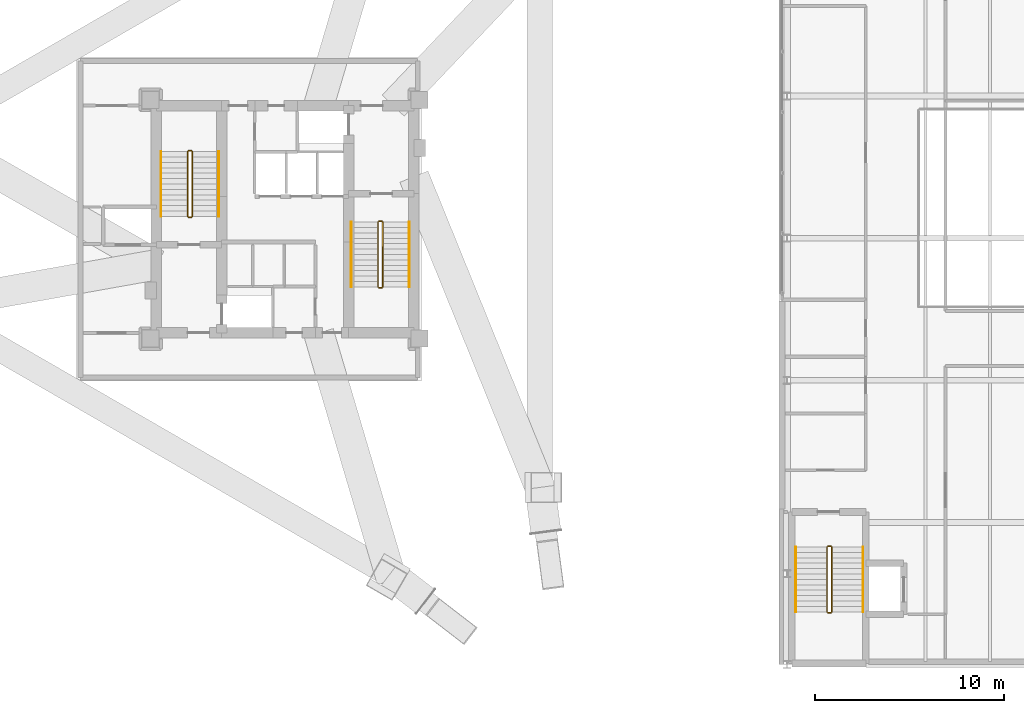
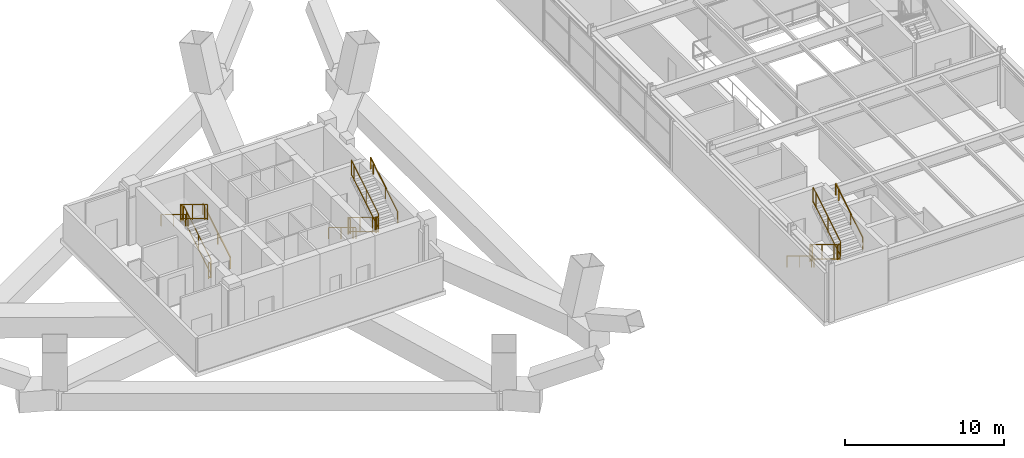
# One storey, part 15 of 16: 18 railings.
"""IFC4 building model written with IfcOpenShell, lengths in metres."""

from ifc_helpers import new_model, si_unit, direction, frame, origin, origin_2d, place, context, subcontext, project, spatial, rectangle, extrude, material, type_object, element, save


model = new_model("IFC4")

# Units and contexts
model_context = context("Model", 3, precision=1e-05, world=origin(), true_north=direction((0.0, 1.0)))
body_context = subcontext(model_context, "Body", "Model", "MODEL_VIEW")
ifc_project = project(units=[si_unit("LENGTHUNIT", "METRE"), si_unit("AREAUNIT", "SQUARE_METRE"), si_unit("VOLUMEUNIT", "CUBIC_METRE"), si_unit("PLANEANGLEUNIT", "RADIAN"), si_unit("MASSUNIT", "GRAM", prefix="KILO")], contexts=[model_context])

# Site, building, storey
site_placement = place(None, origin())
site = spatial("IfcSite", under=ifc_project, at=site_placement, CompositionType="ELEMENT")
building_placement = place(site_placement, origin())
building = spatial("IfcBuilding", under=site, at=building_placement, Name="Mersakhor Tower and Convention Hall", CompositionType="ELEMENT")
storey_placement = place(building_placement, frame((0.0, 0.0, 5.10009765625)))
storey = spatial("IfcBuildingStorey", under=building, at=storey_placement, Name="L01", CompositionType="ELEMENT", Elevation=5.10009765625)

# Railings
ifc_material_1 = material(Name="Brushed stainless steel handrail", Category="steel")
railing_type_1 = type_object("IfcRailingType", Name="RL-HR-900", PredefinedType="HANDRAIL", material=ifc_material_1)
railing_1_placement = place(storey_placement, frame((25.5, 26.89990234375, 0.173095703125)))
element("IfcRailing", 1, at=railing_1_placement, inside=storey, type_object=railing_type_1, Name="L01 ST-1 stair handrail 1", PredefinedType="HANDRAIL", context=body_context, shape_type="SweptSolid", body=[
    extrude(rectangle(XDim=0.048095703125, YDim=0.048095703125, at=origin_2d()), frame((0.0, 0.0, 0.8759765625), z_axis=(0.0, 0.854745945586, 0.519046595696), x_axis=(-1.0, 0.0, 0.0)), (0.0, 0.0, 1.0), 4.00146484375),
    extrude(rectangle(XDim=0.0419921875, YDim=0.0419921875, at=origin_2d()), origin(), (0.0, 0.0, 1.0), 0.851806640625),
    extrude(rectangle(XDim=0.0419921875, YDim=0.0419921875, at=origin_2d()), frame((0.0, 1.53857421875, 0.934326171875)), (0.0, 0.0, 1.0), 0.851806640625),
    extrude(rectangle(XDim=0.0419921875, YDim=0.0419921875, at=origin_2d()), frame((0.0, 3.0771484375, 1.86865234375)), (0.0, 0.0, 1.0), 0.851806640625),
    extrude(rectangle(XDim=0.0419921875, YDim=0.0419921875, at=origin_2d()), frame((0.0, 3.420166015625, 2.076904296875)), (0.0, 0.0, 1.0), 0.851806640625),
])
for number, where, name in (
    (2, (22.449951171875, 30.320068359375, 2.423095703125), "L01 ST-1 stair handrail 2"),
    (3, (32.5, 26.60009765625, 0.173095703125), "L01 ST-2 stair handrail 1"),
):
    element("IfcRailing", number, at=place(storey_placement, frame(where)), inside=storey, type_object=railing_type_1, Name=name, PredefinedType="HANDRAIL", context=body_context, shape_type="SweptSolid", body=[
        extrude(rectangle(XDim=0.048095703125, YDim=0.048095703125, at=origin_2d()), frame((0.0, 0.0, 0.8759765625), z_axis=(0.0, -0.854745945586, 0.519046595696), x_axis=(1.0, 0.0, 0.0)), (0.0, 0.0, 1.0), 4.00146484375),
        extrude(rectangle(XDim=0.0419921875, YDim=0.0419921875, at=origin_2d()), origin(), (0.0, 0.0, 1.0), 0.851806640625),
        extrude(rectangle(XDim=0.0419921875, YDim=0.0419921875, at=origin_2d()), frame((0.0, -1.53857421875, 0.934326171875)), (0.0, 0.0, 1.0), 0.851806640625),
        extrude(rectangle(XDim=0.0419921875, YDim=0.0419921875, at=origin_2d()), frame((0.0, -3.0771484375, 1.86865234375)), (0.0, 0.0, 1.0), 0.851806640625),
        extrude(rectangle(XDim=0.0419921875, YDim=0.0419921875, at=origin_2d()), frame((0.0, -3.420166015625, 2.076904296875)), (0.0, 0.0, 1.0), 0.851806640625),
    ])
railing_2_placement = place(storey_placement, frame((35.550048828125, 23.179931640625, 2.423095703125)))
element("IfcRailing", 4, at=railing_2_placement, inside=storey, type_object=railing_type_1, Name="L01 ST-2 stair handrail 2", PredefinedType="HANDRAIL", context=body_context, shape_type="SweptSolid", body=[
    extrude(rectangle(XDim=0.048095703125, YDim=0.048095703125, at=origin_2d()), frame((0.0, 0.0, 0.8759765625), z_axis=(0.0, 0.854745945586, 0.519046595696), x_axis=(-1.0, 0.0, 0.0)), (0.0, 0.0, 1.0), 4.00146484375),
    extrude(rectangle(XDim=0.0419921875, YDim=0.0419921875, at=origin_2d()), origin(), (0.0, 0.0, 1.0), 0.851806640625),
    extrude(rectangle(XDim=0.0419921875, YDim=0.0419921875, at=origin_2d()), frame((0.0, 1.53857421875, 0.934326171875)), (0.0, 0.0, 1.0), 0.851806640625),
    extrude(rectangle(XDim=0.0419921875, YDim=0.0419921875, at=origin_2d()), frame((0.0, 3.0771484375, 1.86865234375)), (0.0, 0.0, 1.0), 0.851806640625),
    extrude(rectangle(XDim=0.0419921875, YDim=0.0419921875, at=origin_2d()), frame((0.0, 3.420166015625, 2.076904296875)), (0.0, 0.0, 1.0), 0.851806640625),
])
railing_3_placement = place(storey_placement, frame((55.949951171875, 9.449951171875, 0.173095703125)))
element("IfcRailing", 5, at=railing_3_placement, inside=storey, type_object=railing_type_1, Name="L01 CH-ST1 stair handrail 1", PredefinedType="HANDRAIL", context=body_context, shape_type="SweptSolid", body=[
    extrude(rectangle(XDim=0.048095703125, YDim=0.048095703125, at=origin_2d()), frame((0.0, 0.0, 0.8759765625), z_axis=(0.0, -0.854729506542, 0.519073665916), x_axis=(1.0, 0.0, 0.0)), (0.0, 0.0, 1.0), 4.001220703125),
    extrude(rectangle(XDim=0.0419921875, YDim=0.0419921875, at=origin_2d()), origin(), (0.0, 0.0, 1.0), 0.851806640625),
    extrude(rectangle(XDim=0.0419921875, YDim=0.0419921875, at=origin_2d()), frame((0.0, -1.53857421875, 0.934326171875)), (0.0, 0.0, 1.0), 0.851806640625),
    extrude(rectangle(XDim=0.0419921875, YDim=0.0419921875, at=origin_2d()), frame((0.0, -3.076904296875, 1.86865234375)), (0.0, 0.0, 1.0), 0.851806640625),
    extrude(rectangle(XDim=0.0419921875, YDim=0.0419921875, at=origin_2d()), frame((0.0, -3.419921875, 2.076904296875)), (0.0, 0.0, 1.0), 0.851806640625),
])
railing_4_placement = place(storey_placement, frame((59.5, 6.030029296875, 2.423095703125)))
element("IfcRailing", 6, at=railing_4_placement, inside=storey, type_object=railing_type_1, Name="L01 CH-ST1 stair handrail 2", PredefinedType="HANDRAIL", context=body_context, shape_type="SweptSolid", body=[
    extrude(rectangle(XDim=0.048095703125, YDim=0.048095703125, at=origin_2d()), frame((0.0, 0.0, 0.8759765625), z_axis=(0.0, 0.854729506542, 0.519073665916), x_axis=(-1.0, 0.0, 0.0)), (0.0, 0.0, 1.0), 4.001220703125),
    extrude(rectangle(XDim=0.0419921875, YDim=0.0419921875, at=origin_2d()), origin(), (0.0, 0.0, 1.0), 0.851806640625),
    extrude(rectangle(XDim=0.0419921875, YDim=0.0419921875, at=origin_2d()), frame((0.0, 1.53857421875, 0.934326171875)), (0.0, 0.0, 1.0), 0.851806640625),
    extrude(rectangle(XDim=0.0419921875, YDim=0.0419921875, at=origin_2d()), frame((0.0, 3.076904296875, 1.86865234375)), (0.0, 0.0, 1.0), 0.851806640625),
    extrude(rectangle(XDim=0.0419921875, YDim=0.0419921875, at=origin_2d()), frame((0.0, 3.419921875, 2.076904296875)), (0.0, 0.0, 1.0), 0.851806640625),
])
ifc_material_2 = material(Name="Painted steel stair balustrade S355", Category="steel")
railing_type_2 = type_object("IfcRailingType", Name="RL-STG-1200", PredefinedType="BALUSTRADE", material=ifc_material_2)
railing_5_placement = place(storey_placement, frame((24.10009765625, 26.89990234375, 0.173095703125)))
element("IfcRailing", 7, at=railing_5_placement, inside=storey, type_object=railing_type_2, Name="L01 ST-1 stair guard 1", PredefinedType="BALUSTRADE", context=body_context, shape_type="SweptSolid", body=[
    extrude(rectangle(XDim=0.048095703125, YDim=0.048095703125, at=origin_2d()), frame((0.0, 0.0, 1.17578125), z_axis=(0.0, 0.854745945586, 0.519046595696), x_axis=(-1.0, 0.0, 0.0)), (0.0, 0.0, 1.0), 4.00146484375),
    extrude(rectangle(XDim=0.048095703125, YDim=0.048095703125, at=origin_2d()), frame((0.0, 0.0, 0.080078125), z_axis=(0.0, 0.854745945586, 0.519046595696), x_axis=(-1.0, 0.0, 0.0)), (0.0, 0.0, 1.0), 4.00146484375),
    extrude(rectangle(XDim=0.0419921875, YDim=0.0419921875, at=origin_2d()), origin(), (0.0, 0.0, 1.0), 1.15185546875),
    extrude(rectangle(XDim=0.0419921875, YDim=0.0419921875, at=origin_2d()), frame((0.0, 1.53857421875, 0.934326171875)), (0.0, 0.0, 1.0), 1.15185546875),
    extrude(rectangle(XDim=0.0419921875, YDim=0.0419921875, at=origin_2d()), frame((0.0, 3.0771484375, 1.86865234375)), (0.0, 0.0, 1.0), 1.15185546875),
    extrude(rectangle(XDim=0.0419921875, YDim=0.0419921875, at=origin_2d()), frame((0.0, 3.420166015625, 2.076904296875)), (0.0, 0.0, 1.0), 1.15185546875),
])
railing_6_placement = place(storey_placement, frame((24.050048828125, 30.3701171875, 2.25)))
element("IfcRailing", 8, at=railing_6_placement, inside=storey, type_object=railing_type_2, Name="L01 ST-1 stair guard 2", PredefinedType="BALUSTRADE", context=body_context, shape_type="SweptSolid", body=[
    extrude(rectangle(XDim=0.048095703125, YDim=0.048095703125, at=origin_2d()), frame((0.0, 0.0, 1.17578125), z_axis=(-1.0, 0.0, 0.0), x_axis=(0.0, -1.0, 0.0)), (0.0, 0.0, 1.0), 0.150146484375),
    extrude(rectangle(XDim=0.048095703125, YDim=0.048095703125, at=origin_2d()), frame((0.0, 0.0, 0.080078125), z_axis=(-1.0, 0.0, 0.0), x_axis=(0.0, -1.0, 0.0)), (0.0, 0.0, 1.0), 0.150146484375),
    extrude(rectangle(XDim=0.0419921875, YDim=0.0419921875, at=origin_2d()), origin(), (0.0, 0.0, 1.0), 1.15185546875),
    extrude(rectangle(XDim=0.0419921875, YDim=0.0419921875, at=origin_2d()), frame((-0.150146484375, 0.0, 0.0)), (0.0, 0.0, 1.0), 1.15185546875),
])
railing_7_placement = place(storey_placement, frame((23.85009765625, 30.320068359375, 2.423095703125)))
element("IfcRailing", 9, at=railing_7_placement, inside=storey, type_object=railing_type_2, Name="L01 ST-1 stair guard 3", PredefinedType="BALUSTRADE", context=body_context, shape_type="SweptSolid", body=[
    extrude(rectangle(XDim=0.048095703125, YDim=0.048095703125, at=origin_2d()), frame((0.0, 0.0, 1.17578125), z_axis=(0.0, -0.854745945586, 0.519046595696), x_axis=(1.0, 0.0, 0.0)), (0.0, 0.0, 1.0), 4.00146484375),
    extrude(rectangle(XDim=0.048095703125, YDim=0.048095703125, at=origin_2d()), frame((0.0, 0.0, 0.080078125), z_axis=(0.0, -0.854745945586, 0.519046595696), x_axis=(1.0, 0.0, 0.0)), (0.0, 0.0, 1.0), 4.00146484375),
    extrude(rectangle(XDim=0.0419921875, YDim=0.0419921875, at=origin_2d()), origin(), (0.0, 0.0, 1.0), 1.15185546875),
    extrude(rectangle(XDim=0.0419921875, YDim=0.0419921875, at=origin_2d()), frame((0.0, -1.53857421875, 0.934326171875)), (0.0, 0.0, 1.0), 1.15185546875),
    extrude(rectangle(XDim=0.0419921875, YDim=0.0419921875, at=origin_2d()), frame((0.0, -3.0771484375, 1.86865234375)), (0.0, 0.0, 1.0), 1.15185546875),
    extrude(rectangle(XDim=0.0419921875, YDim=0.0419921875, at=origin_2d()), frame((0.0, -3.420166015625, 2.076904296875)), (0.0, 0.0, 1.0), 1.15185546875),
])
railing_8_placement = place(storey_placement, frame((24.050048828125, 26.85009765625, 0.0)))
element("IfcRailing", 10, at=railing_8_placement, inside=storey, type_object=railing_type_2, Name="L01 ST-1 stair guard 4", PredefinedType="BALUSTRADE", context=body_context, shape_type="SweptSolid", body=[
    extrude(rectangle(XDim=0.048095703125, YDim=0.048095703125, at=origin_2d()), frame((0.0, 0.0, 1.17578125), z_axis=(-1.0, 0.0, 0.0), x_axis=(0.0, -1.0, 0.0)), (0.0, 0.0, 1.0), 0.150146484375),
    extrude(rectangle(XDim=0.048095703125, YDim=0.048095703125, at=origin_2d()), frame((0.0, 0.0, 0.080078125), z_axis=(-1.0, 0.0, 0.0), x_axis=(0.0, -1.0, 0.0)), (0.0, 0.0, 1.0), 0.150146484375),
    extrude(rectangle(XDim=0.0419921875, YDim=0.0419921875, at=origin_2d()), origin(), (0.0, 0.0, 1.0), 1.15185546875),
    extrude(rectangle(XDim=0.0419921875, YDim=0.0419921875, at=origin_2d()), frame((-0.150146484375, 0.0, 0.0)), (0.0, 0.0, 1.0), 1.15185546875),
])
railing_9_placement = place(storey_placement, frame((33.89990234375, 26.60009765625, 0.173095703125)))
element("IfcRailing", 11, at=railing_9_placement, inside=storey, type_object=railing_type_2, Name="L01 ST-2 stair guard 1", PredefinedType="BALUSTRADE", context=body_context, shape_type="SweptSolid", body=[
    extrude(rectangle(XDim=0.048095703125, YDim=0.048095703125, at=origin_2d()), frame((0.0, 0.0, 1.17578125), z_axis=(0.0, -0.854745945586, 0.519046595696), x_axis=(1.0, 0.0, 0.0)), (0.0, 0.0, 1.0), 4.00146484375),
    extrude(rectangle(XDim=0.048095703125, YDim=0.048095703125, at=origin_2d()), frame((0.0, 0.0, 0.080078125), z_axis=(0.0, -0.854745945586, 0.519046595696), x_axis=(1.0, 0.0, 0.0)), (0.0, 0.0, 1.0), 4.00146484375),
    extrude(rectangle(XDim=0.0419921875, YDim=0.0419921875, at=origin_2d()), origin(), (0.0, 0.0, 1.0), 1.15185546875),
    extrude(rectangle(XDim=0.0419921875, YDim=0.0419921875, at=origin_2d()), frame((0.0, -1.53857421875, 0.934326171875)), (0.0, 0.0, 1.0), 1.15185546875),
    extrude(rectangle(XDim=0.0419921875, YDim=0.0419921875, at=origin_2d()), frame((0.0, -3.0771484375, 1.86865234375)), (0.0, 0.0, 1.0), 1.15185546875),
    extrude(rectangle(XDim=0.0419921875, YDim=0.0419921875, at=origin_2d()), frame((0.0, -3.420166015625, 2.076904296875)), (0.0, 0.0, 1.0), 1.15185546875),
])
railing_10_placement = place(storey_placement, frame((33.949951171875, 23.1298828125, 2.25)))
element("IfcRailing", 12, at=railing_10_placement, inside=storey, type_object=railing_type_2, Name="L01 ST-2 stair guard 2", PredefinedType="BALUSTRADE", context=body_context, shape_type="SweptSolid", body=[
    extrude(rectangle(XDim=0.048095703125, YDim=0.048095703125, at=origin_2d()), frame((0.0, 0.0, 1.17578125), z_axis=(1.0, 0.0, 0.0), x_axis=(0.0, 1.0, 0.0)), (0.0, 0.0, 1.0), 0.150146484375),
    extrude(rectangle(XDim=0.048095703125, YDim=0.048095703125, at=origin_2d()), frame((0.0, 0.0, 0.080078125), z_axis=(1.0, 0.0, 0.0), x_axis=(0.0, 1.0, 0.0)), (0.0, 0.0, 1.0), 0.150146484375),
    extrude(rectangle(XDim=0.0419921875, YDim=0.0419921875, at=origin_2d()), origin(), (0.0, 0.0, 1.0), 1.15185546875),
    extrude(rectangle(XDim=0.0419921875, YDim=0.0419921875, at=origin_2d()), frame((0.150146484375, 0.0, 0.0)), (0.0, 0.0, 1.0), 1.15185546875),
])
railing_11_placement = place(storey_placement, frame((34.14990234375, 23.179931640625, 2.423095703125)))
element("IfcRailing", 13, at=railing_11_placement, inside=storey, type_object=railing_type_2, Name="L01 ST-2 stair guard 3", PredefinedType="BALUSTRADE", context=body_context, shape_type="SweptSolid", body=[
    extrude(rectangle(XDim=0.048095703125, YDim=0.048095703125, at=origin_2d()), frame((0.0, 0.0, 1.17578125), z_axis=(0.0, 0.854745945586, 0.519046595696), x_axis=(-1.0, 0.0, 0.0)), (0.0, 0.0, 1.0), 4.00146484375),
    extrude(rectangle(XDim=0.048095703125, YDim=0.048095703125, at=origin_2d()), frame((0.0, 0.0, 0.080078125), z_axis=(0.0, 0.854745945586, 0.519046595696), x_axis=(-1.0, 0.0, 0.0)), (0.0, 0.0, 1.0), 4.00146484375),
    extrude(rectangle(XDim=0.0419921875, YDim=0.0419921875, at=origin_2d()), origin(), (0.0, 0.0, 1.0), 1.15185546875),
    extrude(rectangle(XDim=0.0419921875, YDim=0.0419921875, at=origin_2d()), frame((0.0, 1.53857421875, 0.934326171875)), (0.0, 0.0, 1.0), 1.15185546875),
    extrude(rectangle(XDim=0.0419921875, YDim=0.0419921875, at=origin_2d()), frame((0.0, 3.0771484375, 1.86865234375)), (0.0, 0.0, 1.0), 1.15185546875),
    extrude(rectangle(XDim=0.0419921875, YDim=0.0419921875, at=origin_2d()), frame((0.0, 3.420166015625, 2.076904296875)), (0.0, 0.0, 1.0), 1.15185546875),
])
railing_12_placement = place(storey_placement, frame((33.949951171875, 26.64990234375, 0.0)))
element("IfcRailing", 14, at=railing_12_placement, inside=storey, type_object=railing_type_2, Name="L01 ST-2 stair guard 4", PredefinedType="BALUSTRADE", context=body_context, shape_type="SweptSolid", body=[
    extrude(rectangle(XDim=0.048095703125, YDim=0.048095703125, at=origin_2d()), frame((0.0, 0.0, 1.17578125), z_axis=(1.0, 0.0, 0.0), x_axis=(0.0, 1.0, 0.0)), (0.0, 0.0, 1.0), 0.150146484375),
    extrude(rectangle(XDim=0.048095703125, YDim=0.048095703125, at=origin_2d()), frame((0.0, 0.0, 0.080078125), z_axis=(1.0, 0.0, 0.0), x_axis=(0.0, 1.0, 0.0)), (0.0, 0.0, 1.0), 0.150146484375),
    extrude(rectangle(XDim=0.0419921875, YDim=0.0419921875, at=origin_2d()), origin(), (0.0, 0.0, 1.0), 1.15185546875),
    extrude(rectangle(XDim=0.0419921875, YDim=0.0419921875, at=origin_2d()), frame((0.150146484375, 0.0, 0.0)), (0.0, 0.0, 1.0), 1.15185546875),
])
railing_13_placement = place(storey_placement, frame((57.60009765625, 9.449951171875, 0.173095703125)))
element("IfcRailing", 15, at=railing_13_placement, inside=storey, type_object=railing_type_2, Name="L01 CH-ST1 stair guard 1", PredefinedType="BALUSTRADE", context=body_context, shape_type="SweptSolid", body=[
    extrude(rectangle(XDim=0.048095703125, YDim=0.048095703125, at=origin_2d()), frame((0.0, 0.0, 1.17578125), z_axis=(0.0, -0.854729506542, 0.519073665916), x_axis=(1.0, 0.0, 0.0)), (0.0, 0.0, 1.0), 4.001220703125),
    extrude(rectangle(XDim=0.048095703125, YDim=0.048095703125, at=origin_2d()), frame((0.0, 0.0, 0.080078125), z_axis=(0.0, -0.854729506542, 0.519073665916), x_axis=(1.0, 0.0, 0.0)), (0.0, 0.0, 1.0), 4.001220703125),
    extrude(rectangle(XDim=0.0419921875, YDim=0.0419921875, at=origin_2d()), origin(), (0.0, 0.0, 1.0), 1.15185546875),
    extrude(rectangle(XDim=0.0419921875, YDim=0.0419921875, at=origin_2d()), frame((0.0, -1.53857421875, 0.934326171875)), (0.0, 0.0, 1.0), 1.15185546875),
    extrude(rectangle(XDim=0.0419921875, YDim=0.0419921875, at=origin_2d()), frame((0.0, -3.076904296875, 1.86865234375)), (0.0, 0.0, 1.0), 1.15185546875),
    extrude(rectangle(XDim=0.0419921875, YDim=0.0419921875, at=origin_2d()), frame((0.0, -3.419921875, 2.076904296875)), (0.0, 0.0, 1.0), 1.15185546875),
])
railing_14_placement = place(storey_placement, frame((57.64990234375, 5.97998046875, 2.25)))
element("IfcRailing", 16, at=railing_14_placement, inside=storey, type_object=railing_type_2, Name="L01 CH-ST1 stair guard 2", PredefinedType="BALUSTRADE", context=body_context, shape_type="SweptSolid", body=[
    extrude(rectangle(XDim=0.048095703125, YDim=0.048095703125, at=origin_2d()), frame((0.0, 0.0, 1.17578125), z_axis=(1.0, 0.0, 0.0), x_axis=(0.0, 1.0, 0.0)), (0.0, 0.0, 1.0), 0.150146484375),
    extrude(rectangle(XDim=0.048095703125, YDim=0.048095703125, at=origin_2d()), frame((0.0, 0.0, 0.080078125), z_axis=(1.0, 0.0, 0.0), x_axis=(0.0, 1.0, 0.0)), (0.0, 0.0, 1.0), 0.150146484375),
    extrude(rectangle(XDim=0.0419921875, YDim=0.0419921875, at=origin_2d()), origin(), (0.0, 0.0, 1.0), 1.15185546875),
    extrude(rectangle(XDim=0.0419921875, YDim=0.0419921875, at=origin_2d()), frame((0.150146484375, 0.0, 0.0)), (0.0, 0.0, 1.0), 1.15185546875),
])
railing_15_placement = place(storey_placement, frame((57.85009765625, 6.030029296875, 2.423095703125)))
element("IfcRailing", 17, at=railing_15_placement, inside=storey, type_object=railing_type_2, Name="L01 CH-ST1 stair guard 3", PredefinedType="BALUSTRADE", context=body_context, shape_type="SweptSolid", body=[
    extrude(rectangle(XDim=0.048095703125, YDim=0.048095703125, at=origin_2d()), frame((0.0, 0.0, 1.17578125), z_axis=(0.0, 0.854729506542, 0.519073665916), x_axis=(-1.0, 0.0, 0.0)), (0.0, 0.0, 1.0), 4.001220703125),
    extrude(rectangle(XDim=0.048095703125, YDim=0.048095703125, at=origin_2d()), frame((0.0, 0.0, 0.080078125), z_axis=(0.0, 0.854729506542, 0.519073665916), x_axis=(-1.0, 0.0, 0.0)), (0.0, 0.0, 1.0), 4.001220703125),
    extrude(rectangle(XDim=0.0419921875, YDim=0.0419921875, at=origin_2d()), origin(), (0.0, 0.0, 1.0), 1.15185546875),
    extrude(rectangle(XDim=0.0419921875, YDim=0.0419921875, at=origin_2d()), frame((0.0, 1.53857421875, 0.934326171875)), (0.0, 0.0, 1.0), 1.15185546875),
    extrude(rectangle(XDim=0.0419921875, YDim=0.0419921875, at=origin_2d()), frame((0.0, 3.076904296875, 1.86865234375)), (0.0, 0.0, 1.0), 1.15185546875),
    extrude(rectangle(XDim=0.0419921875, YDim=0.0419921875, at=origin_2d()), frame((0.0, 3.419921875, 2.076904296875)), (0.0, 0.0, 1.0), 1.15185546875),
])
railing_16_placement = place(storey_placement, frame((57.64990234375, 9.5, 0.0)))
element("IfcRailing", 18, at=railing_16_placement, inside=storey, type_object=railing_type_2, Name="L01 CH-ST1 stair guard 4", PredefinedType="BALUSTRADE", context=body_context, shape_type="SweptSolid", body=[
    extrude(rectangle(XDim=0.048095703125, YDim=0.048095703125, at=origin_2d()), frame((0.0, 0.0, 1.17578125), z_axis=(1.0, 0.0, 0.0), x_axis=(0.0, 1.0, 0.0)), (0.0, 0.0, 1.0), 0.150146484375),
    extrude(rectangle(XDim=0.048095703125, YDim=0.048095703125, at=origin_2d()), frame((0.0, 0.0, 0.080078125), z_axis=(1.0, 0.0, 0.0), x_axis=(0.0, 1.0, 0.0)), (0.0, 0.0, 1.0), 0.150146484375),
    extrude(rectangle(XDim=0.0419921875, YDim=0.0419921875, at=origin_2d()), origin(), (0.0, 0.0, 1.0), 1.15185546875),
    extrude(rectangle(XDim=0.0419921875, YDim=0.0419921875, at=origin_2d()), frame((0.150146484375, 0.0, 0.0)), (0.0, 0.0, 1.0), 1.15185546875),
])

save(model, "model.ifc")
